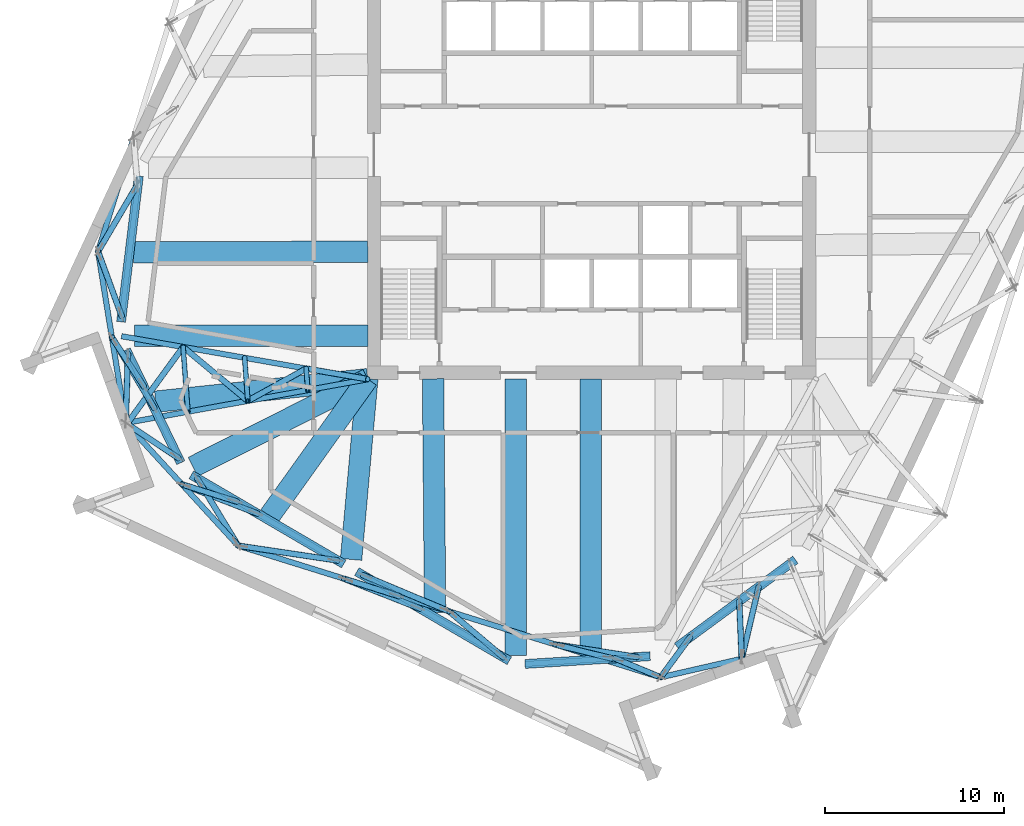
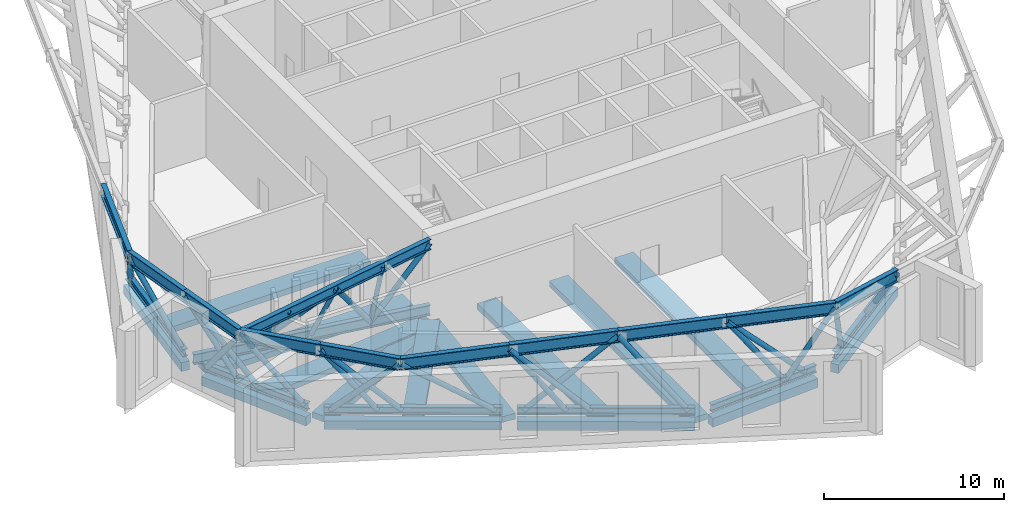
# One storey, part 1 of 15: 33 beams, 27 members.
"""IFC4 building model written with IfcOpenShell, lengths in metres."""

from ifc_helpers import new_model, si_unit, direction, frame, origin, origin_2d, place, context, subcontext, project, spatial, rectangle, hollow_circle, i_section, extrude, material, material_profile, profile_set, type_object, element, save


model = new_model("IFC4")

# Units and contexts
model_context = context("Model", 3, precision=1e-05, world=origin(), true_north=direction((0.0, 1.0)))
body_context = subcontext(model_context, "Body", "Model", "MODEL_VIEW")
ifc_project = project(units=[si_unit("LENGTHUNIT", "METRE"), si_unit("AREAUNIT", "SQUARE_METRE"), si_unit("VOLUMEUNIT", "CUBIC_METRE"), si_unit("PLANEANGLEUNIT", "RADIAN"), si_unit("MASSUNIT", "GRAM", prefix="KILO")], contexts=[model_context])

# Site, building, storey
site_placement = place(None, origin())
site = spatial("IfcSite", under=ifc_project, at=site_placement, CompositionType="ELEMENT")
building_placement = place(site_placement, origin())
building = spatial("IfcBuilding", under=site, at=building_placement, Name="Dilmun Exchange Tower", CompositionType="ELEMENT")
storey_placement = place(building_placement, frame((0.0, 0.0, 290.89990234375)))
storey = spatial("IfcBuildingStorey", under=building, at=storey_placement, Name="L69", CompositionType="ELEMENT", Elevation=290.89990234375)

# Beams
ifc_material_1 = material(Name="Concrete C40/50", Category="concrete")
ifc_material_profile_1 = material_profile(ifc_material_1, rectangle(XDim=1.199951171875, YDim=0.39990234375, at=origin_2d()), Name="1200 x 400")
ifc_profile_set_1 = profile_set([ifc_material_profile_1], Name="Concrete C40/50")
beam_type_1 = type_object("IfcBeamType", Name="RC band beam 1200 x 400 C40/50", PredefinedType="BEAM", material=ifc_profile_set_1)
beam_1_placement = place(storey_placement, frame((-25.5732421875, -10.1220703125, -0.659912109375), z_axis=(1.0, 0.0, 0.0), x_axis=(0.0, 1.0, 0.0)))
element("IfcBeam", 1, at=beam_1_placement, inside=storey, type_object=beam_type_1, Name="Band beam 5", PredefinedType="BEAM", context=body_context, shape_type="SweptSolid", body=[
    extrude(rectangle(XDim=1.199951171875, YDim=0.39990234375, at=origin_2d()), origin(), (0.0, 0.0, 1.0), 13.05029296875),
])
beam_2_placement = place(storey_placement, frame((-22.302734375, -17.453125, -0.659912109375), z_axis=(0.893443377394, 0.449175835716, 0.0), x_axis=(-0.449175835716, 0.893443377394, 0.0)))
element("IfcBeam", 2, at=beam_2_placement, inside=storey, type_object=beam_type_1, Name="Band beam 6", PredefinedType="BEAM", context=body_context, shape_type="SweptSolid", body=[
    extrude(rectangle(XDim=1.199951171875, YDim=0.39990234375, at=origin_2d()), origin(), (0.0, 0.0, 1.0), 10.94287109375),
])
beam_3_placement = place(storey_placement, frame((-13.456787109375, -22.625732421875, -0.659912109375), z_axis=(0.089632924375, 0.995974868593, 0.0), x_axis=(-0.995974868593, 0.089632924375, 0.0)))
element("IfcBeam", 3, at=beam_3_placement, inside=storey, type_object=beam_type_1, Name="Band beam 7", PredefinedType="BEAM", context=body_context, shape_type="SweptSolid", body=[
    extrude(rectangle(XDim=1.199951171875, YDim=0.39990234375, at=origin_2d()), origin(), (0.0, 0.0, 1.0), 10.143310546875),
])
beam_4_placement = place(storey_placement, frame((-4.239990234375, -28.01171875, -0.659912109375), z_axis=(0.0, 1.0, 0.0), x_axis=(-1.0, 0.0, 0.0)))
element("IfcBeam", 4, at=beam_4_placement, inside=storey, type_object=beam_type_1, Name="Band beam 8", PredefinedType="BEAM", context=body_context, shape_type="SweptSolid", body=[
    extrude(rectangle(XDim=1.199951171875, YDim=0.39990234375, at=origin_2d()), origin(), (0.0, 0.0, 1.0), 15.48876953125),
])
beam_5_placement = place(storey_placement, frame((-25.6201171875, -5.448974609375, -0.559814453125), z_axis=(0.999997897774, 0.002050474756, 0.0), x_axis=(-0.002050474756, 0.999997897774, 0.0)))
element("IfcBeam", 5, at=beam_5_placement, inside=storey, type_object=beam_type_1, Name="Band beam 20", PredefinedType="BEAM", context=body_context, shape_type="SweptSolid", body=[
    extrude(rectangle(XDim=1.199951171875, YDim=0.39990234375, at=origin_2d()), origin(), (0.0, 0.0, 1.0), 13.09716796875),
])
beam_6_placement = place(storey_placement, frame((-24.3857421875, -13.804931640625, -0.559814453125), z_axis=(0.994425543871, 0.105441157505, 0.0), x_axis=(-0.105441157505, 0.994425543871, 0.0)))
element("IfcBeam", 6, at=beam_6_placement, inside=storey, type_object=beam_type_1, Name="Band beam 21", PredefinedType="BEAM", context=body_context, shape_type="SweptSolid", body=[
    extrude(rectangle(XDim=1.199951171875, YDim=0.39990234375, at=origin_2d()), origin(), (0.0, 0.0, 1.0), 11.928955078125),
])
beam_7_placement = place(storey_placement, frame((-18.01611328125, -20.195556640625, -0.559814453125), z_axis=(0.581600762294, 0.81347437163, 0.0), x_axis=(-0.81347437163, 0.581600762294, 0.0)))
element("IfcBeam", 7, at=beam_7_placement, inside=storey, type_object=beam_type_1, Name="Band beam 22", PredefinedType="BEAM", context=body_context, shape_type="SweptSolid", body=[
    extrude(rectangle(XDim=1.199951171875, YDim=0.39990234375, at=origin_2d()), origin(), (0.0, 0.0, 1.0), 9.425537109375),
])
beam_8_placement = place(storey_placement, frame((-8.757080078125, -25.607421875, -0.559814453125), z_axis=(-0.008582734208, 0.999963167658, 0.0), x_axis=(-0.999963167658, -0.008582734208, 0.0)))
element("IfcBeam", 8, at=beam_8_placement, inside=storey, type_object=beam_type_1, Name="Band beam 23", PredefinedType="BEAM", context=body_context, shape_type="SweptSolid", body=[
    extrude(rectangle(XDim=1.199951171875, YDim=0.39990234375, at=origin_2d()), origin(), (0.0, 0.0, 1.0), 13.0849609375),
])
beam_9_placement = place(storey_placement, frame((-0.0634765625, -28.02197265625, -0.559814453125), z_axis=(0.000897863667, 0.99999959692, 0.0), x_axis=(-0.99999959692, 0.000897863667, 0.0)))
element("IfcBeam", 9, at=beam_9_placement, inside=storey, type_object=beam_type_1, Name="Band beam 24", PredefinedType="BEAM", context=body_context, shape_type="SweptSolid", body=[
    extrude(rectangle(XDim=1.199951171875, YDim=0.39990234375, at=origin_2d()), origin(), (0.0, 0.0, 1.0), 15.4990234375),
])
ifc_material_profile_2 = material_profile(ifc_material_1, rectangle(XDim=0.5, YDim=0.60009765625, at=origin_2d()), Name="500 x 600")
ifc_profile_set_2 = profile_set([ifc_material_profile_2], Name="Concrete C40/50")
beam_type_2 = type_object("IfcBeamType", Name="RC ring beam 500 x 600 C40/50", PredefinedType="SPANDREL", material=ifc_profile_set_2)
beam_10_placement = place(storey_placement, frame((-25.32421875, -1.181640625, -0.659912109375), z_axis=(-0.121108645076, -0.992639257781, 0.0), x_axis=(0.992639257781, -0.121108645076, 0.0)))
element("IfcBeam", 10, at=beam_10_placement, inside=storey, type_object=beam_type_2, Name="Ring beam 4", PredefinedType="SPANDREL", context=body_context, shape_type="SweptSolid", body=[
    extrude(rectangle(XDim=0.5, YDim=0.60009765625, at=origin_2d()), origin(), (0.0, 0.0, 1.0), 8.216796875),
])
beam_11_placement = place(storey_placement, frame((-26.033447265625, -10.910888671875, -0.659912109375), z_axis=(0.435439794363, -0.900217854458, 0.0), x_axis=(0.900217854458, 0.435439794363, 0.0)))
element("IfcBeam", 11, at=beam_11_placement, inside=storey, type_object=beam_type_2, Name="Ring beam 5", PredefinedType="SPANDREL", context=body_context, shape_type="SweptSolid", body=[
    extrude(rectangle(XDim=0.5, YDim=0.60009765625, at=origin_2d()), origin(), (0.0, 0.0, 1.0), 7.0068359375),
])
beam_12_placement = place(storey_placement, frame((-22.392822265625, -17.8955078125, -0.659912109375), z_axis=(0.863333071594, -0.504634528637, 0.0), x_axis=(0.504634528637, 0.863333071594, 0.0)))
element("IfcBeam", 12, at=beam_12_placement, inside=storey, type_object=beam_type_2, Name="Ring beam 6", PredefinedType="SPANDREL", context=body_context, shape_type="SweptSolid", body=[
    extrude(rectangle(XDim=0.5, YDim=0.60009765625, at=origin_2d()), origin(), (0.0, 0.0, 1.0), 9.878662109375),
])
beam_13_placement = place(storey_placement, frame((-13.1337890625, -23.3076171875, -0.659912109375), z_axis=(0.863343838609, -0.504616107884, 0.0), x_axis=(0.504616107884, 0.863343838609, 0.0)))
element("IfcBeam", 13, at=beam_13_placement, inside=storey, type_object=beam_type_2, Name="Ring beam 7", PredefinedType="SPANDREL", context=body_context, shape_type="SweptSolid", body=[
    extrude(rectangle(XDim=0.5, YDim=0.60009765625, at=origin_2d()), origin(), (0.0, 0.0, 1.0), 9.87841796875),
])
beam_14_placement = place(storey_placement, frame((-3.72607421875, -28.473876953125, -0.659912109375), z_axis=(0.998059216844, 0.062271981443, 0.0), x_axis=(-0.062271981443, 0.998059216844, 0.0)))
element("IfcBeam", 14, at=beam_14_placement, inside=storey, type_object=beam_type_2, Name="Ring beam 8", PredefinedType="SPANDREL", context=body_context, shape_type="SweptSolid", body=[
    extrude(rectangle(XDim=0.5, YDim=0.60009765625, at=origin_2d()), origin(), (0.0, 0.0, 1.0), 7.006103515625),
])
beam_15_placement = place(storey_placement, frame((4.77734375, -27.514892578125, -0.659912109375), z_axis=(0.805549228719, 0.592528851711, 0.0), x_axis=(-0.592528851711, 0.805549228719, 0.0)))
element("IfcBeam", 15, at=beam_15_placement, inside=storey, type_object=beam_type_2, Name="Ring beam 9", PredefinedType="SPANDREL", context=body_context, shape_type="SweptSolid", body=[
    extrude(rectangle(XDim=0.5, YDim=0.60009765625, at=origin_2d()), origin(), (0.0, 0.0, 1.0), 8.21630859375),
])
ifc_material_2 = material(Name="Steel S355", Category="steel")
ifc_material_profile_3 = material_profile(ifc_material_2, i_section(OverallWidth=0.300048828125, OverallDepth=0.5, WebThickness=0.014404296875, FlangeThickness=0.028076171875, FilletRadius=0.027099609375, at=origin_2d()), Name="HEB 500")
ifc_profile_set_3 = profile_set([ifc_material_profile_3], Name="Steel S355")
beam_type_3 = type_object("IfcBeamType", Name="belt bottom chord HEB 500", PredefinedType="BEAM", material=ifc_profile_set_3)
beam_16_placement = place(storey_placement, frame((-25.32421875, -1.181640625, 0.25), z_axis=(-0.121108645076, -0.992639257781, 0.0), x_axis=(0.992639257781, -0.121108645076, 0.0)))
element("IfcBeam", 16, at=beam_16_placement, inside=storey, type_object=beam_type_3, Name="Belt bottom chord 4", PredefinedType="BEAM", context=body_context, shape_type="SweptSolid", body=[
    extrude(i_section(OverallWidth=0.300048828125, OverallDepth=0.5, WebThickness=0.014404296875, FlangeThickness=0.028076171875, FilletRadius=0.027099609375, at=origin_2d()), origin(), (0.0, 0.0, 1.0), 8.216796875),
])
beam_17_placement = place(storey_placement, frame((-26.033447265625, -10.910888671875, 0.25), z_axis=(0.435439794363, -0.900217854458, 0.0), x_axis=(0.900217854458, 0.435439794363, 0.0)))
element("IfcBeam", 17, at=beam_17_placement, inside=storey, type_object=beam_type_3, Name="Belt bottom chord 5", PredefinedType="BEAM", context=body_context, shape_type="SweptSolid", body=[
    extrude(i_section(OverallWidth=0.300048828125, OverallDepth=0.5, WebThickness=0.014404296875, FlangeThickness=0.028076171875, FilletRadius=0.027099609375, at=origin_2d()), origin(), (0.0, 0.0, 1.0), 7.0068359375),
])
beam_18_placement = place(storey_placement, frame((-22.392822265625, -17.8955078125, 0.25), z_axis=(0.863333071594, -0.504634528637, 0.0), x_axis=(0.504634528637, 0.863333071594, 0.0)))
element("IfcBeam", 18, at=beam_18_placement, inside=storey, type_object=beam_type_3, Name="Belt bottom chord 6", PredefinedType="BEAM", context=body_context, shape_type="SweptSolid", body=[
    extrude(i_section(OverallWidth=0.300048828125, OverallDepth=0.5, WebThickness=0.014404296875, FlangeThickness=0.028076171875, FilletRadius=0.027099609375, at=origin_2d()), origin(), (0.0, 0.0, 1.0), 9.878662109375),
])
beam_19_placement = place(storey_placement, frame((-13.1337890625, -23.3076171875, 0.25), z_axis=(0.863343838609, -0.504616107884, 0.0), x_axis=(0.504616107884, 0.863343838609, 0.0)))
element("IfcBeam", 19, at=beam_19_placement, inside=storey, type_object=beam_type_3, Name="Belt bottom chord 7", PredefinedType="BEAM", context=body_context, shape_type="SweptSolid", body=[
    extrude(i_section(OverallWidth=0.300048828125, OverallDepth=0.5, WebThickness=0.014404296875, FlangeThickness=0.028076171875, FilletRadius=0.027099609375, at=origin_2d()), origin(), (0.0, 0.0, 1.0), 9.87841796875),
])
beam_20_placement = place(storey_placement, frame((-3.72607421875, -28.473876953125, 0.25), z_axis=(0.998059216844, 0.062271981443, 0.0), x_axis=(-0.062271981443, 0.998059216844, 0.0)))
element("IfcBeam", 20, at=beam_20_placement, inside=storey, type_object=beam_type_3, Name="Belt bottom chord 8", PredefinedType="BEAM", context=body_context, shape_type="SweptSolid", body=[
    extrude(i_section(OverallWidth=0.300048828125, OverallDepth=0.5, WebThickness=0.014404296875, FlangeThickness=0.028076171875, FilletRadius=0.027099609375, at=origin_2d()), origin(), (0.0, 0.0, 1.0), 7.006103515625),
])
beam_21_placement = place(storey_placement, frame((4.77734375, -27.514892578125, 0.25), z_axis=(0.805549228719, 0.592528851711, 0.0), x_axis=(-0.592528851711, 0.805549228719, 0.0)))
element("IfcBeam", 21, at=beam_21_placement, inside=storey, type_object=beam_type_3, Name="Belt bottom chord 9", PredefinedType="BEAM", context=body_context, shape_type="SweptSolid", body=[
    extrude(i_section(OverallWidth=0.300048828125, OverallDepth=0.5, WebThickness=0.014404296875, FlangeThickness=0.028076171875, FilletRadius=0.027099609375, at=origin_2d()), origin(), (0.0, 0.0, 1.0), 8.21630859375),
])
ifc_material_profile_4 = material_profile(ifc_material_2, i_section(OverallWidth=0.300048828125, OverallDepth=0.699951171875, WebThickness=0.01708984375, FlangeThickness=0.031982421875, FilletRadius=0.027099609375, at=origin_2d()), Name="HEB 700")
ifc_profile_set_4 = profile_set([ifc_material_profile_4], Name="Steel S355")
beam_type_4 = type_object("IfcBeamType", Name="outrigger chord HEB 700", PredefinedType="BEAM", material=ifc_profile_set_4)
beam_22_placement = place(storey_placement, frame((-12.5234375, -12.5546875, 0.35009765625), z_axis=(-0.985011260386, 0.172490048736, 0.0), x_axis=(-0.172490048736, -0.985011260386, 0.0)))
element("IfcBeam", 22, at=beam_22_placement, inside=storey, type_object=beam_type_4, Name="Outrigger bottom chord 2", PredefinedType="BEAM", context=body_context, shape_type="SweptSolid", body=[
    extrude(i_section(OverallWidth=0.300048828125, OverallDepth=0.699951171875, WebThickness=0.01708984375, FlangeThickness=0.031982421875, FilletRadius=0.027099609375, at=origin_2d()), origin(), (0.0, 0.0, 1.0), 13.979736328125),
])
beam_23_placement = place(storey_placement, frame((-12.5234375, -12.545166015625, 4.800048828125), z_axis=(-0.98401401085, -0.178091062243, 0.0), x_axis=(0.178091062243, -0.98401401085, 0.0)))
element("IfcBeam", 23, at=beam_23_placement, inside=storey, type_object=beam_type_4, Name="Outrigger top chord 2", PredefinedType="BEAM", context=body_context, shape_type="SweptSolid", body=[
    extrude(i_section(OverallWidth=0.300048828125, OverallDepth=0.699951171875, WebThickness=0.01708984375, FlangeThickness=0.031982421875, FilletRadius=0.027099609375, at=origin_2d()), origin(), (0.0, 0.0, 1.0), 13.632080078125),
])

# Members
ifc_material_profile_5 = material_profile(ifc_material_2, hollow_circle(Radius=0.136474609375, WallThickness=0.01611328125, at=origin_2d()), Name="CHS 273x16")
ifc_profile_set_5 = profile_set([ifc_material_profile_5], Name="Steel S355")
member_type_1 = type_object("IfcMemberType", Name="outrigger post CHS 273x16", PredefinedType="POST", material=ifc_profile_set_5)
member_1_placement = place(storey_placement, frame((-15.876953125, -13.152099609375, 4.800048828125), z_axis=(-0.019330745136, 0.260356008467, -0.965319155071), x_axis=(-0.997255009067, -0.074043547256, 0.0)))
element("IfcMember", 24, at=member_1_placement, inside=storey, type_object=member_type_1, Name="Outrigger post 2.1", PredefinedType="POST", context=body_context, shape_type="SweptSolid", body=[
    extrude(hollow_circle(Radius=0.136474609375, WallThickness=0.01611328125, at=origin_2d()), origin(), (0.0, 0.0, 1.0), 4.60986328125),
])
member_2_placement = place(storey_placement, frame((-19.23046875, -13.759033203125, 4.800048828125), z_axis=(-0.035195017843, 0.475952350886, -0.878766561952), x_axis=(-0.997277118073, -0.073745167767, 0.0)))
element("IfcMember", 25, at=member_2_placement, inside=storey, type_object=member_type_1, Name="Outrigger post 2.2", PredefinedType="POST", context=body_context, shape_type="SweptSolid", body=[
    extrude(hollow_circle(Radius=0.136474609375, WallThickness=0.01611328125, at=origin_2d()), origin(), (0.0, 0.0, 1.0), 5.06396484375),
])
member_3_placement = place(storey_placement, frame((-22.583984375, -14.365966796875, 4.800048828125), z_axis=(-0.046553089518, 0.630358592034, -0.774906997842), x_axis=(-0.997284063668, -0.07365118026, 0.0)))
element("IfcMember", 26, at=member_3_placement, inside=storey, type_object=member_type_1, Name="Outrigger post 2.3", PredefinedType="POST", context=body_context, shape_type="SweptSolid", body=[
    extrude(hollow_circle(Radius=0.136474609375, WallThickness=0.01611328125, at=origin_2d()), origin(), (0.0, 0.0, 1.0), 5.74267578125),
])

# Beams
ifc_material_profile_6 = material_profile(ifc_material_2, i_section(OverallWidth=0.302978515625, OverallDepth=0.81396484375, WebThickness=0.02099609375, FlangeThickness=0.0400390625, FilletRadius=0.030029296875, at=origin_2d()), Name="HEM 800")
ifc_profile_set_6 = profile_set([ifc_material_profile_6], Name="Steel S355")
beam_type_5 = type_object("IfcBeamType", Name="transfer chord HEM 800", PredefinedType="BEAM", material=ifc_profile_set_6)
beam_24_placement = place(storey_placement, frame((-25.618408203125, 0.978515625, 4.843017578125), z_axis=(-0.297503680541, -0.954720671225, 0.0), x_axis=(0.954720671225, -0.297503680541, 0.0)))
element("IfcBeam", 27, at=beam_24_placement, inside=storey, type_object=beam_type_5, Name="Transfer chord 6", PredefinedType="BEAM", context=body_context, shape_type="SweptSolid", body=[
    extrude(i_section(OverallWidth=0.302978515625, OverallDepth=0.81396484375, WebThickness=0.02099609375, FlangeThickness=0.0400390625, FilletRadius=0.030029296875, at=origin_2d()), origin(), (0.0, 0.0, 1.0), 6.687255859375),
])
beam_25_placement = place(storey_placement, frame((-27.60791015625, -5.406005859375, 4.843017578125), z_axis=(0.159358879639, -0.987220718725, 0.0), x_axis=(0.987220718725, 0.159358879639, 0.0)))
element("IfcBeam", 28, at=beam_25_placement, inside=storey, type_object=beam_type_5, Name="Transfer chord 7", PredefinedType="BEAM", context=body_context, shape_type="SweptSolid", body=[
    extrude(i_section(OverallWidth=0.302978515625, OverallDepth=0.81396484375, WebThickness=0.02099609375, FlangeThickness=0.0400390625, FilletRadius=0.030029296875, at=origin_2d()), origin(), (0.0, 0.0, 1.0), 4.8564453125),
])
beam_26_placement = place(storey_placement, frame((-26.833984375, -10.200439453125, 4.843017578125), z_axis=(0.159350971282, -0.987221995273, 0.0), x_axis=(0.987221995273, 0.159350971282, 0.0)))
element("IfcBeam", 29, at=beam_26_placement, inside=storey, type_object=beam_type_5, Name="Transfer chord 8", PredefinedType="BEAM", context=body_context, shape_type="SweptSolid", body=[
    extrude(i_section(OverallWidth=0.302978515625, OverallDepth=0.81396484375, WebThickness=0.02099609375, FlangeThickness=0.0400390625, FilletRadius=0.030029296875, at=origin_2d()), origin(), (0.0, 0.0, 1.0), 4.856689453125),
])
for number, where, z_axis, x_axis, name in (
    (30, (-26.06005859375, -14.9951171875, 4.843017578125), (0.675555926759, -0.737308747961, 0.0), (0.737308747961, 0.675555926759, 0.0), "Transfer chord 9"),
    (31, (-22.91650390625, -18.426025390625, 4.843017578125), (0.675555926759, -0.737308747961, 0.0), (0.737308747961, 0.675555926759, 0.0), "Transfer chord 10"),
):
    element("IfcBeam", number, at=place(storey_placement, frame(where, z_axis=z_axis, x_axis=x_axis)), inside=storey, type_object=beam_type_5, Name=name, PredefinedType="BEAM", context=body_context, shape_type="SweptSolid", body=[
        extrude(i_section(OverallWidth=0.302978515625, OverallDepth=0.81396484375, WebThickness=0.02099609375, FlangeThickness=0.0400390625, FilletRadius=0.030029296875, at=origin_2d()), origin(), (0.0, 0.0, 1.0), 4.6533203125),
    ])
for number, where, z_axis, x_axis, name in (
    (32, (-19.77294921875, -21.85693359375, 4.843017578125), (0.954710669436, -0.297535775436, 0.0), (0.297535775436, 0.954710669436, 0.0), "Transfer chord 11"),
    (33, (-13.865478515625, -23.697998046875, 4.843017578125), (0.954710669436, -0.297535775436, 0.0), (0.297535775436, 0.954710669436, 0.0), "Transfer chord 12"),
):
    element("IfcBeam", number, at=place(storey_placement, frame(where, z_axis=z_axis, x_axis=x_axis)), inside=storey, type_object=beam_type_5, Name=name, PredefinedType="BEAM", context=body_context, shape_type="SweptSolid", body=[
        extrude(i_section(OverallWidth=0.302978515625, OverallDepth=0.81396484375, WebThickness=0.02099609375, FlangeThickness=0.0400390625, FilletRadius=0.030029296875, at=origin_2d()), origin(), (0.0, 0.0, 1.0), 6.187744140625),
    ])
for number, where, z_axis, x_axis, name in (
    (34, (-7.9580078125, -25.5390625, 4.843017578125), (0.95473730618, -0.297450291961, 0.0), (0.297450291961, 0.95473730618, 0.0), "Transfer chord 13"),
    (35, (-2.051025390625, -27.37939453125, 4.843017578125), (0.954726099481, -0.297486260136, 0.0), (0.297486260136, 0.954726099481, 0.0), "Transfer chord 14"),
):
    element("IfcBeam", number, at=place(storey_placement, frame(where, z_axis=z_axis, x_axis=x_axis)), inside=storey, type_object=beam_type_5, Name=name, PredefinedType="BEAM", context=body_context, shape_type="SweptSolid", body=[
        extrude(i_section(OverallWidth=0.302978515625, OverallDepth=0.81396484375, WebThickness=0.02099609375, FlangeThickness=0.0400390625, FilletRadius=0.030029296875, at=origin_2d()), origin(), (0.0, 0.0, 1.0), 6.18701171875),
    ])
beam_27_placement = place(storey_placement, frame((3.85595703125, -29.219970703125, 4.843017578125), z_axis=(0.974805082887, 0.223058401272, 0.0), x_axis=(-0.223058401272, 0.974805082887, 0.0)))
element("IfcBeam", 36, at=beam_27_placement, inside=storey, type_object=beam_type_5, Name="Transfer chord 15", PredefinedType="BEAM", context=body_context, shape_type="SweptSolid", body=[
    extrude(i_section(OverallWidth=0.302978515625, OverallDepth=0.81396484375, WebThickness=0.02099609375, FlangeThickness=0.0400390625, FilletRadius=0.030029296875, at=origin_2d()), origin(), (0.0, 0.0, 1.0), 4.65380859375),
])

# Members
ifc_material_profile_7 = material_profile(ifc_material_2, hollow_circle(Radius=0.161865234375, WallThickness=0.01611328125, at=origin_2d()), Name="CHS 323.9x16")
ifc_profile_set_7 = profile_set([ifc_material_profile_7], Name="Steel S355")
member_type_2 = type_object("IfcMemberType", Name="truss diagonal CHS 323.9x16", PredefinedType="BRACE", material=ifc_profile_set_7)
member_4_placement = place(storey_placement, frame((-27.60791015625, -5.406005859375, 4.843017578125), z_axis=(0.221065222287, -0.604103858547, -0.765629607306), x_axis=(0.939096959505, 0.343652296149, 0.0)))
element("IfcMember", 37, at=member_4_placement, inside=storey, type_object=member_type_2, Name="Truss diagonal 13", PredefinedType="BRACE", context=body_context, shape_type="SweptSolid", body=[
    extrude(hollow_circle(Radius=0.161865234375, WallThickness=0.01611328125, at=origin_2d()), origin(), (0.0, 0.0, 1.0), 5.9990234375),
])
member_5_placement = place(storey_placement, frame((-27.60791015625, -5.406005859375, 4.843017578125), z_axis=(0.355788979033, 0.603587486703, -0.713509879605), x_axis=(-0.861473844548, 0.507801944817, 0.0)))
element("IfcMember", 38, at=member_5_placement, inside=storey, type_object=member_type_2, Name="Truss diagonal 14", PredefinedType="BRACE", context=body_context, shape_type="SweptSolid", body=[
    extrude(hollow_circle(Radius=0.161865234375, WallThickness=0.01611328125, at=origin_2d()), origin(), (0.0, 0.0, 1.0), 6.192138671875),
])
member_6_placement = place(storey_placement, frame((-26.833984375, -10.200439453125, 4.843017578125), z_axis=(0.317035084509, -0.4881519079, -0.813139883418), x_axis=(0.838650533822, 0.544669883618, 0.0)))
element("IfcMember", 39, at=member_6_placement, inside=storey, type_object=member_type_2, Name="Truss diagonal 15", PredefinedType="BRACE", context=body_context, shape_type="SweptSolid", body=[
    extrude(hollow_circle(Radius=0.161865234375, WallThickness=0.01611328125, at=origin_2d()), origin(), (0.0, 0.0, 1.0), 5.6484375),
])
member_7_placement = place(storey_placement, frame((-26.833984375, -10.200439453125, 4.843017578125), z_axis=(0.36472467183, -0.609097314518, -0.70425590179), x_axis=(0.857948537089, 0.513735639903, 0.0)))
element("IfcMember", 40, at=member_7_placement, inside=storey, type_object=member_type_2, Name="Truss diagonal 16", PredefinedType="BRACE", context=body_context, shape_type="SweptSolid", body=[
    extrude(hollow_circle(Radius=0.161865234375, WallThickness=0.01611328125, at=origin_2d()), origin(), (0.0, 0.0, 1.0), 6.521728515625),
])
member_8_placement = place(storey_placement, frame((-26.06005859375, -14.9951171875, 4.843017578125), z_axis=(0.508881259394, -0.338861582549, -0.791336016943), x_axis=(0.554255560991, 0.832346546284, 0.0)))
element("IfcMember", 41, at=member_8_placement, inside=storey, type_object=member_type_2, Name="Truss diagonal 17", PredefinedType="BRACE", context=body_context, shape_type="SweptSolid", body=[
    extrude(hollow_circle(Radius=0.161865234375, WallThickness=0.01611328125, at=origin_2d()), origin(), (0.0, 0.0, 1.0), 5.80419921875),
])
member_9_placement = place(storey_placement, frame((-26.06005859375, -14.9951171875, 4.843017578125), z_axis=(0.020616973972, 0.645457389864, -0.76351797507), x_axis=(-0.999490255525, 0.03192536782, 0.0)))
element("IfcMember", 42, at=member_9_placement, inside=storey, type_object=member_type_2, Name="Truss diagonal 18", PredefinedType="BRACE", context=body_context, shape_type="SweptSolid", body=[
    extrude(hollow_circle(Radius=0.161865234375, WallThickness=0.01611328125, at=origin_2d()), origin(), (0.0, 0.0, 1.0), 6.015625),
])
member_10_placement = place(storey_placement, frame((-22.91650390625, -18.426025390625, 4.843017578125), z_axis=(0.549137340389, -0.172018402147, -0.817837300882), x_axis=(0.298928744175, 0.954275435032, 0.0)))
element("IfcMember", 43, at=member_10_placement, inside=storey, type_object=member_type_2, Name="Truss diagonal 19", PredefinedType="BRACE", context=body_context, shape_type="SweptSolid", body=[
    extrude(hollow_circle(Radius=0.161865234375, WallThickness=0.01611328125, at=origin_2d()), origin(), (0.0, 0.0, 1.0), 5.615966796875),
])
member_11_placement = place(storey_placement, frame((-22.91650390625, -18.426025390625, 4.843017578125), z_axis=(0.656750787656, -0.254572995767, -0.709838708961), x_axis=(0.361422364993, 0.932402206176, 0.0)))
element("IfcMember", 44, at=member_11_placement, inside=storey, type_object=member_type_2, Name="Truss diagonal 20", PredefinedType="BRACE", context=body_context, shape_type="SweptSolid", body=[
    extrude(hollow_circle(Radius=0.161865234375, WallThickness=0.01611328125, at=origin_2d()), origin(), (0.0, 0.0, 1.0), 6.470458984375),
])
member_12_placement = place(storey_placement, frame((-19.77294921875, -21.85693359375, 4.843017578125), z_axis=(-0.360168853559, 0.591990666198, -0.72098921494), x_axis=(-0.854309605547, -0.51976446384, 0.0)))
element("IfcMember", 45, at=member_12_placement, inside=storey, type_object=member_type_2, Name="Truss diagonal 21", PredefinedType="BRACE", context=body_context, shape_type="SweptSolid", body=[
    extrude(hollow_circle(Radius=0.161865234375, WallThickness=0.01611328125, at=origin_2d()), origin(), (0.0, 0.0, 1.0), 6.370361328125),
])
member_13_placement = place(storey_placement, frame((-19.77294921875, -21.85693359375, 4.843017578125), z_axis=(0.76718776685, -0.114496123497, -0.631120882319), x_axis=(0.147606565046, 0.989046157646, 0.0)))
element("IfcMember", 46, at=member_13_placement, inside=storey, type_object=member_type_2, Name="Truss diagonal 22", PredefinedType="BRACE", context=body_context, shape_type="SweptSolid", body=[
    extrude(hollow_circle(Radius=0.161865234375, WallThickness=0.01611328125, at=origin_2d()), origin(), (0.0, 0.0, 1.0), 7.277587890625),
])
member_14_placement = place(storey_placement, frame((-13.865478515625, -23.697998046875, 4.843017578125), z_axis=(0.547902798505, -0.174516543408, -0.818135990815), x_axis=(0.303493951405, 0.952833365002, 0.0)))
element("IfcMember", 47, at=member_14_placement, inside=storey, type_object=member_type_2, Name="Truss diagonal 23", PredefinedType="BRACE", context=body_context, shape_type="SweptSolid", body=[
    extrude(hollow_circle(Radius=0.161865234375, WallThickness=0.01611328125, at=origin_2d()), origin(), (0.0, 0.0, 1.0), 5.614013671875),
])
member_15_placement = place(storey_placement, frame((-13.865478515625, -23.697998046875, 4.843017578125), z_axis=(0.65880767969, -0.259281176275, -0.706219309288), x_axis=(0.366219898743, 0.930528336895, 0.0)))
element("IfcMember", 48, at=member_15_placement, inside=storey, type_object=member_type_2, Name="Truss diagonal 24", PredefinedType="BRACE", context=body_context, shape_type="SweptSolid", body=[
    extrude(hollow_circle(Radius=0.161865234375, WallThickness=0.01611328125, at=origin_2d()), origin(), (0.0, 0.0, 1.0), 6.503662109375),
])
member_16_placement = place(storey_placement, frame((-7.9580078125, -25.5390625, 4.843017578125), z_axis=(0.498834259148, -0.422359748935, -0.75682007398), x_axis=(0.646182242942, 0.763183142441, 0.0)))
element("IfcMember", 49, at=member_16_placement, inside=storey, type_object=member_type_2, Name="Truss diagonal 25", PredefinedType="BRACE", context=body_context, shape_type="SweptSolid", body=[
    extrude(hollow_circle(Radius=0.161865234375, WallThickness=0.01611328125, at=origin_2d()), origin(), (0.0, 0.0, 1.0), 6.06884765625),
])
member_17_placement = place(storey_placement, frame((-7.9580078125, -25.5390625, 4.843017578125), z_axis=(-0.694407176955, 0.292240318444, -0.657566931095), x_axis=(-0.387897290921, -0.9217026048, 0.0)))
element("IfcMember", 50, at=member_17_placement, inside=storey, type_object=member_type_2, Name="Truss diagonal 26", PredefinedType="BRACE", context=body_context, shape_type="SweptSolid", body=[
    extrude(hollow_circle(Radius=0.161865234375, WallThickness=0.01611328125, at=origin_2d()), origin(), (0.0, 0.0, 1.0), 6.98486328125),
])
member_18_placement = place(storey_placement, frame((-2.051025390625, -27.37939453125, 4.843017578125), z_axis=(0.566678848059, -0.139673452077, -0.812013799111), x_axis=(0.239315116039, 0.970941952557, 0.0)))
element("IfcMember", 51, at=member_18_placement, inside=storey, type_object=member_type_2, Name="Truss diagonal 27", PredefinedType="BRACE", context=body_context, shape_type="SweptSolid", body=[
    extrude(hollow_circle(Radius=0.161865234375, WallThickness=0.01611328125, at=origin_2d()), origin(), (0.0, 0.0, 1.0), 5.65625),
])
member_19_placement = place(storey_placement, frame((-2.051025390625, -27.37939453125, 4.843017578125), z_axis=(0.703757682678, -0.107469281729, -0.702264535311), x_axis=(0.15095779249, 0.988540209039, 0.0)))
element("IfcMember", 52, at=member_19_placement, inside=storey, type_object=member_type_2, Name="Truss diagonal 28", PredefinedType="BRACE", context=body_context, shape_type="SweptSolid", body=[
    extrude(hollow_circle(Radius=0.161865234375, WallThickness=0.01611328125, at=origin_2d()), origin(), (0.0, 0.0, 1.0), 6.540283203125),
])
member_20_placement = place(storey_placement, frame((3.85595703125, -29.219970703125, 4.843017578125), z_axis=(-0.477197202319, 0.197542527476, -0.85630589157), x_axis=(-0.382486713435, -0.923960991625, 0.0)))
element("IfcMember", 53, at=member_20_placement, inside=storey, type_object=member_type_2, Name="Truss diagonal 29", PredefinedType="BRACE", context=body_context, shape_type="SweptSolid", body=[
    extrude(hollow_circle(Radius=0.161865234375, WallThickness=0.01611328125, at=origin_2d()), origin(), (0.0, 0.0, 1.0), 5.36376953125),
])
member_21_placement = place(storey_placement, frame((3.85595703125, -29.219970703125, 4.843017578125), z_axis=(0.306527149083, 0.41687510333, -0.855719729291), x_axis=(-0.805649778719, 0.592392128619, 0.0)))
element("IfcMember", 54, at=member_21_placement, inside=storey, type_object=member_type_2, Name="Truss diagonal 30", PredefinedType="BRACE", context=body_context, shape_type="SweptSolid", body=[
    extrude(hollow_circle(Radius=0.161865234375, WallThickness=0.01611328125, at=origin_2d()), origin(), (0.0, 0.0, 1.0), 5.367431640625),
])
member_22_placement = place(storey_placement, frame((8.392578125, -28.181884765625, 4.843017578125), z_axis=(0.153663830875, 0.651234425657, -0.74315620829), x_axis=(-0.973272965984, 0.229651330685, 0.0)))
element("IfcMember", 55, at=member_22_placement, inside=storey, type_object=member_type_2, Name="Truss diagonal 31", PredefinedType="BRACE", context=body_context, shape_type="SweptSolid", body=[
    extrude(hollow_circle(Radius=0.161865234375, WallThickness=0.01611328125, at=origin_2d()), origin(), (0.0, 0.0, 1.0), 6.180419921875),
])
member_23_placement = place(storey_placement, frame((8.392578125, -28.181884765625, 4.843017578125), z_axis=(-0.024528121306, 0.574453819741, -0.818169408039), x_axis=(-0.999089678091, -0.042659291274, 0.0)))
element("IfcMember", 56, at=member_23_placement, inside=storey, type_object=member_type_2, Name="Truss diagonal 32", PredefinedType="BRACE", context=body_context, shape_type="SweptSolid", body=[
    extrude(hollow_circle(Radius=0.161865234375, WallThickness=0.01611328125, at=origin_2d()), origin(), (0.0, 0.0, 1.0), 5.61376953125),
])
member_24_placement = place(storey_placement, frame((-12.5234375, -12.545166015625, 4.800048828125), z_axis=(-0.608521972044, 0.104865498338, -0.786577546589), x_axis=(-0.169825004679, -0.985474234968, 0.0)))
element("IfcMember", 57, at=member_24_placement, inside=storey, type_object=member_type_2, Name="Outrigger diagonal 2.0", PredefinedType="BRACE", context=body_context, shape_type="SweptSolid", body=[
    extrude(hollow_circle(Radius=0.161865234375, WallThickness=0.01611328125, at=origin_2d()), origin(), (0.0, 0.0, 1.0), 5.657470703125),
])
member_25_placement = place(storey_placement, frame((-19.23046875, -13.759033203125, 4.800048828125), z_axis=(0.562125976934, 0.31118513808, -0.766275535231), x_axis=(-0.484325720904, 0.874887761985, 0.0)))
element("IfcMember", 58, at=member_25_placement, inside=storey, type_object=member_type_2, Name="Outrigger diagonal 2.1", PredefinedType="BRACE", context=body_context, shape_type="SweptSolid", body=[
    extrude(hollow_circle(Radius=0.161865234375, WallThickness=0.01611328125, at=origin_2d()), origin(), (0.0, 0.0, 1.0), 5.80712890625),
])
member_26_placement = place(storey_placement, frame((-19.23046875, -13.759033203125, 4.800048828125), z_axis=(-0.558772944988, 0.464959673258, -0.686720684262), x_axis=(-0.639628551374, -0.768684145971, 0.0)))
element("IfcMember", 59, at=member_26_placement, inside=storey, type_object=member_type_2, Name="Outrigger diagonal 2.2", PredefinedType="BRACE", context=body_context, shape_type="SweptSolid", body=[
    extrude(hollow_circle(Radius=0.161865234375, WallThickness=0.01611328125, at=origin_2d()), origin(), (0.0, 0.0, 1.0), 6.47998046875),
])
member_27_placement = place(storey_placement, frame((-25.9375, -14.972900390625, 4.800048828125), z_axis=(0.44924690859, 0.615284528789, -0.647767059795), x_axis=(-0.807631227125, 0.58968788437, 0.0)))
element("IfcMember", 60, at=member_27_placement, inside=storey, type_object=member_type_2, Name="Outrigger diagonal 2.3", PredefinedType="BRACE", context=body_context, shape_type="SweptSolid", body=[
    extrude(hollow_circle(Radius=0.161865234375, WallThickness=0.01611328125, at=origin_2d()), origin(), (0.0, 0.0, 1.0), 6.86962890625),
])

save(model, "model.ifc")
